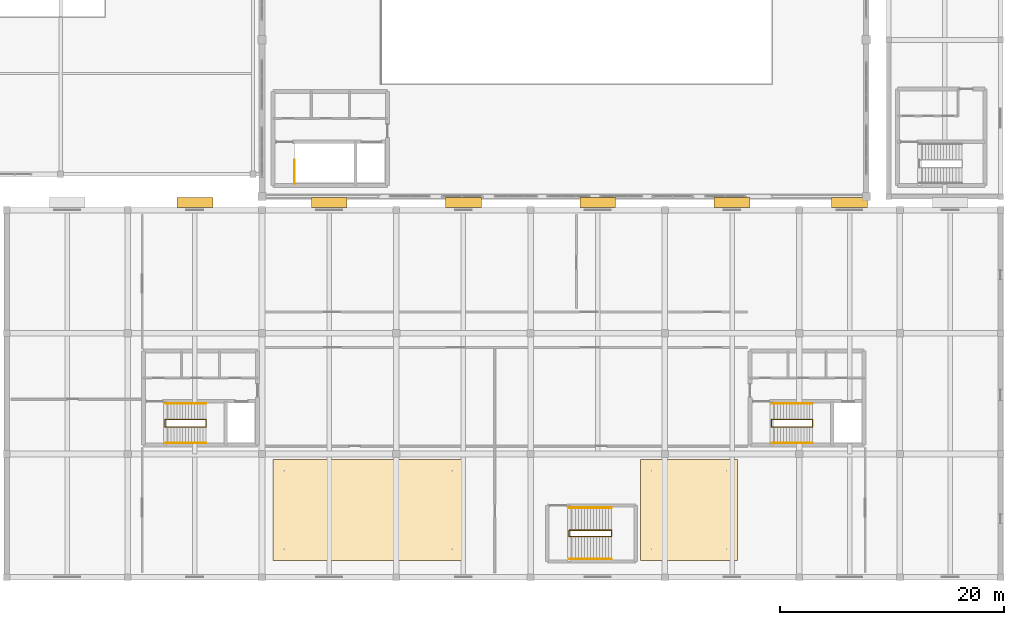
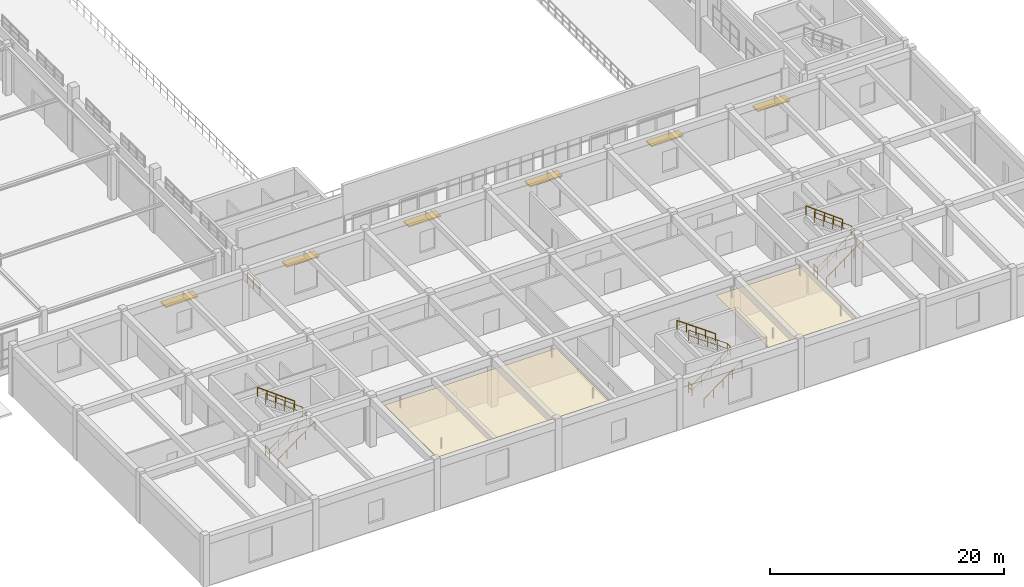
# One storey, part 194 of 197: 13 railings, 6 shading devices, 2 coverings.
"""IFC4 building model written with IfcOpenShell, lengths in metres."""

from ifc_helpers import new_model, si_unit, derived_unit, direction, frame, origin, origin_2d, place, context, subcontext, project, spatial, polyline, rectangle, circle, outline, extrude, material, layer, layer_set, type_object, element, save


model = new_model("IFC4")

# Units and contexts
model_context = context("Model", 3, precision=1e-05, world=origin(), true_north=direction((0.0, 1.0)))
body_context = subcontext(model_context, "Body", "Model", "MODEL_VIEW")
ifc_project = project(units=[si_unit("LENGTHUNIT", "METRE"), si_unit("AREAUNIT", "SQUARE_METRE"), si_unit("VOLUMEUNIT", "CUBIC_METRE"), si_unit("PLANEANGLEUNIT", "RADIAN"), si_unit("MASSUNIT", "GRAM", prefix="KILO"), derived_unit("THERMALTRANSMITTANCEUNIT", [(si_unit("POWERUNIT", "WATT"), 1), (si_unit("LENGTHUNIT", "METRE"), -2), (si_unit("THERMODYNAMICTEMPERATUREUNIT", "KELVIN"), -1)])], contexts=[model_context])

# Site, building, storey
site_placement = place(None, origin())
site = spatial("IfcSite", under=ifc_project, at=site_placement, CompositionType="ELEMENT")
building_placement = place(site_placement, origin())
building = spatial("IfcBuilding", under=site, at=building_placement, Name="Almenara Railside Exhibition Hall", CompositionType="ELEMENT")
storey_placement = place(building_placement, frame((0.0, 0.0, 5.39990234375)))
storey = spatial("IfcBuildingStorey", under=building, at=storey_placement, Name="L01", CompositionType="ELEMENT", Elevation=5.39990234375)

# Coverings
ifc_material_1 = material(Name="Perforated iroko acoustic timber ceiling", Category="wood")
ifc_layer = layer(ifc_material_1, 0.0400390625, Name="Perforated iroko acoustic timber ceiling")
ifc_layer_set = layer_set([ifc_layer], Name="Perforated iroko acoustic timber ceiling")
covering_type = type_object("IfcCoveringType", Name="Acoustic Slatted Timber Ceiling 40mm", PredefinedType="CEILING", material=ifc_layer_set)
covering_1_placement = place(storey_placement, frame((0.0, 0.0, 4.06005859375)))
element("IfcCovering", 1, at=covering_1_placement, inside=storey, type_object=covering_type, Name="Acoustic timber ceiling 004", PredefinedType="CEILING", context=body_context, shape_type="SweptSolid", body=[
    extrude(outline(polyline([(139.0, 1.5), (156.0, 1.5), (156.0, 10.5), (139.0, 10.5), (139.0, 1.5)])), origin(), (0.0, 0.0, 1.0), 0.0400390625),
])
covering_2_placement = place(storey_placement, frame((0.0, 0.0, 4.06005859375)))
element("IfcCovering", 2, at=covering_2_placement, inside=storey, type_object=covering_type, Name="Acoustic timber ceiling 005", PredefinedType="CEILING", context=body_context, shape_type="SweptSolid", body=[
    extrude(outline(polyline([(171.800048828125, 1.5), (180.5, 1.5), (180.5, 10.5), (171.800048828125, 10.5), (171.800048828125, 1.5)])), origin(), (0.0, 0.0, 1.0), 0.0400390625),
])

# Shading devices
ifc_material_2 = material(Name="Bronze-anodised aluminium solar brise-soleil", Category="aluminium")
shading_device_type = type_object("IfcShadingDeviceType", Name="North Solar Brise-Soleil Hood 900mm", PredefinedType="USERDEFINED", material=ifc_material_2)
for number, where, z_axis, x_axis, name in (
    (3, (132.0, 33.47509765625, 3.6103515625), (0.0, 0.0, 1.0), (-1.0, 0.0, 0.0), "Solar brise-soleil 0022"),
    (4, (144.0, 33.47509765625, 3.6103515625), (0.0, 0.0, 1.0), (-1.0, 0.0, 0.0), "Solar brise-soleil 0023"),
    (5, (156.0, 33.47509765625, 3.6103515625), (0.0, 0.0, 1.0), (-1.0, 0.0, 0.0), "Solar brise-soleil 0024"),
    (6, (168.0, 33.47509765625, 3.6103515625), (0.0, 0.0, 1.0), (-1.0, 0.0, 0.0), "Solar brise-soleil 0025"),
    (7, (180.0, 33.47509765625, 3.6103515625), (0.0, 0.0, 1.0), (-1.0, 0.0, 0.0), "Solar brise-soleil 0026"),
    (8, (190.5, 33.47509765625, 3.6103515625), (0.0, 0.0, 1.0), (-1.0, 0.0, 0.0), "Solar brise-soleil 0027"),
):
    element("IfcShadingDevice", number, at=place(storey_placement, frame(where, z_axis=z_axis, x_axis=x_axis)), inside=storey, type_object=shading_device_type, Name=name, ObjectType="BRISE_SOLEIL", PredefinedType="USERDEFINED", context=body_context, shape_type="SweptSolid", body=[
        extrude(rectangle(XDim=3.199951171875, YDim=0.89990234375, at=origin_2d()), origin(), (0.0, 0.0, 1.0), 0.139892578125),
    ])

# Railings
ifc_material_3 = material(Name="Bronze-finished tubular steel handrail", Category="steel")
railing_type_1 = type_object("IfcRailingType", Name="Stair Pitch Handrail 920mm", PredefinedType="HANDRAIL", material=ifc_material_3)
railing_1_placement = place(storey_placement, frame((129.35009765625, 12.0, 0.0)))
element("IfcRailing", 9, at=railing_1_placement, inside=storey, type_object=railing_type_1, Name="HR-L01-0037", PredefinedType="HANDRAIL", context=body_context, shape_type="SweptSolid", body=[
    extrude(circle(Radius=0.02392578125, at=origin_2d()), frame((0.0, 0.0, 0.89599609375), z_axis=(0.803900008104, 0.0, 0.594764471846), x_axis=(0.0, 1.0, 0.0)), (0.0, 0.0, 1.0), 4.5400390625),
    extrude(circle(Radius=0.02099609375, at=origin_2d()), origin(), (0.0, 0.0, 1.0), 0.871826171875),
    extrude(circle(Radius=0.02099609375, at=origin_2d()), frame((0.912353515625, 0.0, 0.675048828125)), (0.0, 0.0, 1.0), 0.871826171875),
    extrude(circle(Radius=0.02099609375, at=origin_2d()), frame((1.82470703125, 0.0, 1.35009765625)), (0.0, 0.0, 1.0), 0.871826171875),
    extrude(circle(Radius=0.02099609375, at=origin_2d()), frame((2.7373046875, 0.0, 2.025146484375)), (0.0, 0.0, 1.0), 0.871826171875),
    extrude(circle(Radius=0.02099609375, at=origin_2d()), frame((3.649658203125, 0.0, 2.7001953125)), (0.0, 0.0, 1.0), 0.871826171875),
])
railing_2_placement = place(storey_placement, frame((132.999755859375, 15.5, 2.7001953125)))
element("IfcRailing", 10, at=railing_2_placement, inside=storey, type_object=railing_type_1, Name="HR-L01-0038", PredefinedType="HANDRAIL", context=body_context, shape_type="SweptSolid", body=[
    extrude(circle(Radius=0.02392578125, at=origin_2d()), frame((0.0, 0.0, 0.89599609375), z_axis=(-0.803925720239, 0.0, 0.594729717046), x_axis=(0.0, -1.0, 0.0)), (0.0, 0.0, 1.0), 4.539794921875),
    extrude(circle(Radius=0.02099609375, at=origin_2d()), origin(), (0.0, 0.0, 1.0), 0.871826171875),
    extrude(circle(Radius=0.02099609375, at=origin_2d()), frame((-0.912353515625, 0.0, 0.675048828125)), (0.0, 0.0, 1.0), 0.871826171875),
    extrude(circle(Radius=0.02099609375, at=origin_2d()), frame((-1.82470703125, 0.0, 1.35009765625)), (0.0, 0.0, 1.0), 0.871826171875),
    extrude(circle(Radius=0.02099609375, at=origin_2d()), frame((-2.7373046875, 0.0, 2.02490234375)), (0.0, 0.0, 1.0), 0.871826171875),
    extrude(circle(Radius=0.02099609375, at=origin_2d()), frame((-3.649658203125, 0.0, 2.699951171875)), (0.0, 0.0, 1.0), 0.871826171875),
])
railing_3_placement = place(storey_placement, frame((183.550048828125, 12.0, 0.0)))
element("IfcRailing", 11, at=railing_3_placement, inside=storey, type_object=railing_type_1, Name="HR-L01-0053", PredefinedType="HANDRAIL", context=body_context, shape_type="SweptSolid", body=[
    extrude(circle(Radius=0.02392578125, at=origin_2d()), frame((0.0, 0.0, 0.89599609375), z_axis=(0.803900008104, 0.0, 0.594764471846), x_axis=(0.0, 1.0, 0.0)), (0.0, 0.0, 1.0), 4.5400390625),
    extrude(circle(Radius=0.02099609375, at=origin_2d()), origin(), (0.0, 0.0, 1.0), 0.871826171875),
    extrude(circle(Radius=0.02099609375, at=origin_2d()), frame((0.912353515625, 0.0, 0.675048828125)), (0.0, 0.0, 1.0), 0.871826171875),
    extrude(circle(Radius=0.02099609375, at=origin_2d()), frame((1.82470703125, 0.0, 1.35009765625)), (0.0, 0.0, 1.0), 0.871826171875),
    extrude(circle(Radius=0.02099609375, at=origin_2d()), frame((2.7373046875, 0.0, 2.025146484375)), (0.0, 0.0, 1.0), 0.871826171875),
    extrude(circle(Radius=0.02099609375, at=origin_2d()), frame((3.649658203125, 0.0, 2.7001953125)), (0.0, 0.0, 1.0), 0.871826171875),
])
railing_4_placement = place(storey_placement, frame((187.19970703125, 15.5, 2.7001953125)))
element("IfcRailing", 12, at=railing_4_placement, inside=storey, type_object=railing_type_1, Name="HR-L01-0054", PredefinedType="HANDRAIL", context=body_context, shape_type="SweptSolid", body=[
    extrude(circle(Radius=0.02392578125, at=origin_2d()), frame((0.0, 0.0, 0.89599609375), z_axis=(-0.803925720239, 0.0, 0.594729717046), x_axis=(0.0, -1.0, 0.0)), (0.0, 0.0, 1.0), 4.539794921875),
    extrude(circle(Radius=0.02099609375, at=origin_2d()), origin(), (0.0, 0.0, 1.0), 0.871826171875),
    extrude(circle(Radius=0.02099609375, at=origin_2d()), frame((-0.912353515625, 0.0, 0.675048828125)), (0.0, 0.0, 1.0), 0.871826171875),
    extrude(circle(Radius=0.02099609375, at=origin_2d()), frame((-1.82470703125, 0.0, 1.35009765625)), (0.0, 0.0, 1.0), 0.871826171875),
    extrude(circle(Radius=0.02099609375, at=origin_2d()), frame((-2.7373046875, 0.0, 2.02490234375)), (0.0, 0.0, 1.0), 0.871826171875),
    extrude(circle(Radius=0.02099609375, at=origin_2d()), frame((-3.649658203125, 0.0, 2.699951171875)), (0.0, 0.0, 1.0), 0.871826171875),
])
railing_5_placement = place(storey_placement, frame((165.449951171875, 1.60009765625, 0.0)))
element("IfcRailing", 13, at=railing_5_placement, inside=storey, type_object=railing_type_1, Name="HR-L01-0117", PredefinedType="HANDRAIL", context=body_context, shape_type="SweptSolid", body=[
    extrude(circle(Radius=0.02392578125, at=origin_2d()), frame((0.0, 0.0, 0.89599609375), z_axis=(0.813715715614, 0.0, 0.581263050746), x_axis=(0.0, 1.0, 0.0)), (0.0, 0.0, 1.0), 4.6455078125),
    extrude(circle(Radius=0.02099609375, at=origin_2d()), origin(), (0.0, 0.0, 1.0), 0.871826171875),
    extrude(circle(Radius=0.02099609375, at=origin_2d()), frame((0.945068359375, 0.0, 0.675048828125)), (0.0, 0.0, 1.0), 0.871826171875),
    extrude(circle(Radius=0.02099609375, at=origin_2d()), frame((1.89013671875, 0.0, 1.35009765625)), (0.0, 0.0, 1.0), 0.871826171875),
    extrude(circle(Radius=0.02099609375, at=origin_2d()), frame((2.8349609375, 0.0, 2.025146484375)), (0.0, 0.0, 1.0), 0.871826171875),
    extrude(circle(Radius=0.02099609375, at=origin_2d()), frame((3.780029296875, 0.0, 2.7001953125)), (0.0, 0.0, 1.0), 0.871826171875),
])
railing_6_placement = place(storey_placement, frame((169.22998046875, 6.199951171875, 2.7001953125)))
element("IfcRailing", 14, at=railing_6_placement, inside=storey, type_object=railing_type_1, Name="HR-L01-0118", PredefinedType="HANDRAIL", context=body_context, shape_type="SweptSolid", body=[
    extrude(circle(Radius=0.02392578125, at=origin_2d()), frame((0.0, 0.0, 0.89599609375), z_axis=(-0.813740573448, 0.0, 0.581228250453), x_axis=(0.0, -1.0, 0.0)), (0.0, 0.0, 1.0), 4.645263671875),
    extrude(circle(Radius=0.02099609375, at=origin_2d()), origin(), (0.0, 0.0, 1.0), 0.871826171875),
    extrude(circle(Radius=0.02099609375, at=origin_2d()), frame((-0.945068359375, 0.0, 0.675048828125)), (0.0, 0.0, 1.0), 0.871826171875),
    extrude(circle(Radius=0.02099609375, at=origin_2d()), frame((-1.89013671875, 0.0, 1.35009765625)), (0.0, 0.0, 1.0), 0.871826171875),
    extrude(circle(Radius=0.02099609375, at=origin_2d()), frame((-2.8349609375, 0.0, 2.02490234375)), (0.0, 0.0, 1.0), 0.871826171875),
    extrude(circle(Radius=0.02099609375, at=origin_2d()), frame((-3.780029296875, 0.0, 2.699951171875)), (0.0, 0.0, 1.0), 0.871826171875),
])
ifc_material_4 = material(Name="Dark wrought-iron stair balustrade")
railing_type_2 = type_object("IfcRailingType", Name="Stair Well Guard Rail 1120mm", PredefinedType="BALUSTRADE", material=ifc_material_4)
railing_7_placement = place(storey_placement, frame((140.919921875, 35.139892578125, 0.0)))
element("IfcRailing", 15, at=railing_7_placement, inside=storey, type_object=railing_type_2, Name="SG-L01-0020", PredefinedType="BALUSTRADE", context=body_context, shape_type="SweptSolid", body=[
    extrude(circle(Radius=0.02392578125, at=origin_2d()), frame((0.0, 0.0, 1.09619140625), z_axis=(0.0, 1.0, 0.0), x_axis=(-1.0, 0.0, 0.0)), (0.0, 0.0, 1.0), 2.130126953125),
    extrude(circle(Radius=0.01416015625, at=origin_2d()), frame((0.0, 0.0, 0.56005859375), z_axis=(0.0, 1.0, 0.0), x_axis=(-1.0, 0.0, 0.0)), (0.0, 0.0, 1.0), 2.130126953125),
    extrude(circle(Radius=0.02099609375, at=origin_2d()), origin(), (0.0, 0.0, 1.0), 1.072021484375),
    extrude(circle(Radius=0.02099609375, at=origin_2d()), frame((0.0, 1.06494140625, 0.0)), (0.0, 0.0, 1.0), 1.072021484375),
    extrude(circle(Radius=0.02099609375, at=origin_2d()), frame((0.0, 2.130126953125, 0.0)), (0.0, 0.0, 1.0), 1.072021484375),
])
railing_8_placement = place(storey_placement, frame((129.320068359375, 13.429931640625, 0.0)))
element("IfcRailing", 16, at=railing_8_placement, inside=storey, type_object=railing_type_2, Name="SG-L01-0036", PredefinedType="BALUSTRADE", context=body_context, shape_type="SweptSolid", body=[
    extrude(circle(Radius=0.02392578125, at=origin_2d()), frame((0.0, 0.0, 1.09619140625), z_axis=(0.0, 1.0, 0.0), x_axis=(-1.0, 0.0, 0.0)), (0.0, 0.0, 1.0), 0.64013671875),
    extrude(circle(Radius=0.01416015625, at=origin_2d()), frame((0.0, 0.0, 0.56005859375), z_axis=(0.0, 1.0, 0.0), x_axis=(-1.0, 0.0, 0.0)), (0.0, 0.0, 1.0), 0.64013671875),
    extrude(circle(Radius=0.02099609375, at=origin_2d()), origin(), (0.0, 0.0, 1.0), 1.072021484375),
    extrude(circle(Radius=0.02099609375, at=origin_2d()), frame((0.0, 0.64013671875, 0.0)), (0.0, 0.0, 1.0), 1.072021484375),
])
railing_9_placement = place(storey_placement, frame((129.35009765625, 13.429931640625, 0.0)))
element("IfcRailing", 17, at=railing_9_placement, inside=storey, type_object=railing_type_2, Name="SG-L01-0039", PredefinedType="BALUSTRADE", context=body_context, shape_type="SweptSolid", body=[
    extrude(circle(Radius=0.02392578125, at=origin_2d()), frame((0.0, 0.0, 1.09619140625), z_axis=(0.803900008104, 0.0, 0.594764471846), x_axis=(0.0, 1.0, 0.0)), (0.0, 0.0, 1.0), 4.5400390625),
    extrude(circle(Radius=0.01416015625, at=origin_2d()), frame((0.0, 0.0, 0.56005859375), z_axis=(0.803900008104, 0.0, 0.594764471846), x_axis=(0.0, 1.0, 0.0)), (0.0, 0.0, 1.0), 4.5400390625),
    extrude(circle(Radius=0.02392578125, at=origin_2d()), frame((3.649658203125, 0.0, 3.79638671875), z_axis=(0.0, 1.0, 0.0), x_axis=(-1.0, 0.0, 0.0)), (0.0, 0.0, 1.0), 0.64013671875),
    extrude(circle(Radius=0.01416015625, at=origin_2d()), frame((3.649658203125, 0.0, 3.26025390625), z_axis=(0.0, 1.0, 0.0), x_axis=(-1.0, 0.0, 0.0)), (0.0, 0.0, 1.0), 0.64013671875),
    extrude(circle(Radius=0.02392578125, at=origin_2d()), frame((3.649658203125, 0.64013671875, 3.79638671875), z_axis=(-0.803925720239, 0.0, 0.594729717046), x_axis=(0.0, -1.0, 0.0)), (0.0, 0.0, 1.0), 4.539794921875),
    extrude(circle(Radius=0.01416015625, at=origin_2d()), frame((3.649658203125, 0.64013671875, 3.26025390625), z_axis=(-0.803925720239, 0.0, 0.594729717046), x_axis=(0.0, -1.0, 0.0)), (0.0, 0.0, 1.0), 4.539794921875),
    extrude(circle(Radius=0.02099609375, at=origin_2d()), origin(), (0.0, 0.0, 1.0), 1.072021484375),
    extrude(circle(Radius=0.02099609375, at=origin_2d()), frame((0.912353515625, 0.0, 0.675048828125)), (0.0, 0.0, 1.0), 1.072021484375),
    extrude(circle(Radius=0.02099609375, at=origin_2d()), frame((1.82470703125, 0.0, 1.35009765625)), (0.0, 0.0, 1.0), 1.072021484375),
    extrude(circle(Radius=0.02099609375, at=origin_2d()), frame((2.7373046875, 0.0, 2.025146484375)), (0.0, 0.0, 1.0), 1.072021484375),
    extrude(circle(Radius=0.02099609375, at=origin_2d()), frame((3.649658203125, 0.0, 2.7001953125)), (0.0, 0.0, 1.0), 1.072021484375),
    extrude(circle(Radius=0.02099609375, at=origin_2d()), frame((3.649658203125, 0.64013671875, 2.7001953125)), (0.0, 0.0, 1.0), 1.072021484375),
    extrude(circle(Radius=0.02099609375, at=origin_2d()), frame((2.7373046875, 0.64013671875, 3.375244140625)), (0.0, 0.0, 1.0), 1.072021484375),
    extrude(circle(Radius=0.02099609375, at=origin_2d()), frame((1.82470703125, 0.64013671875, 4.05029296875)), (0.0, 0.0, 1.0), 1.072021484375),
    extrude(circle(Radius=0.02099609375, at=origin_2d()), frame((0.912353515625, 0.64013671875, 4.72509765625)), (0.0, 0.0, 1.0), 1.072021484375),
    extrude(circle(Radius=0.02099609375, at=origin_2d()), frame((0.0, 0.64013671875, 5.400146484375)), (0.0, 0.0, 1.0), 1.072021484375),
])
railing_10_placement = place(storey_placement, frame((183.52001953125, 13.429931640625, 0.0)))
element("IfcRailing", 18, at=railing_10_placement, inside=storey, type_object=railing_type_2, Name="SG-L01-0052", PredefinedType="BALUSTRADE", context=body_context, shape_type="SweptSolid", body=[
    extrude(circle(Radius=0.02392578125, at=origin_2d()), frame((0.0, 0.0, 1.09619140625), z_axis=(0.0, 1.0, 0.0), x_axis=(-1.0, 0.0, 0.0)), (0.0, 0.0, 1.0), 0.64013671875),
    extrude(circle(Radius=0.01416015625, at=origin_2d()), frame((0.0, 0.0, 0.56005859375), z_axis=(0.0, 1.0, 0.0), x_axis=(-1.0, 0.0, 0.0)), (0.0, 0.0, 1.0), 0.64013671875),
    extrude(circle(Radius=0.02099609375, at=origin_2d()), origin(), (0.0, 0.0, 1.0), 1.072021484375),
    extrude(circle(Radius=0.02099609375, at=origin_2d()), frame((0.0, 0.64013671875, 0.0)), (0.0, 0.0, 1.0), 1.072021484375),
])
railing_11_placement = place(storey_placement, frame((183.550048828125, 13.429931640625, 0.0)))
element("IfcRailing", 19, at=railing_11_placement, inside=storey, type_object=railing_type_2, Name="SG-L01-0055", PredefinedType="BALUSTRADE", context=body_context, shape_type="SweptSolid", body=[
    extrude(circle(Radius=0.02392578125, at=origin_2d()), frame((0.0, 0.0, 1.09619140625), z_axis=(0.803900008104, 0.0, 0.594764471846), x_axis=(0.0, 1.0, 0.0)), (0.0, 0.0, 1.0), 4.5400390625),
    extrude(circle(Radius=0.01416015625, at=origin_2d()), frame((0.0, 0.0, 0.56005859375), z_axis=(0.803900008104, 0.0, 0.594764471846), x_axis=(0.0, 1.0, 0.0)), (0.0, 0.0, 1.0), 4.5400390625),
    extrude(circle(Radius=0.02392578125, at=origin_2d()), frame((3.649658203125, 0.0, 3.79638671875), z_axis=(0.0, 1.0, 0.0), x_axis=(-1.0, 0.0, 0.0)), (0.0, 0.0, 1.0), 0.64013671875),
    extrude(circle(Radius=0.01416015625, at=origin_2d()), frame((3.649658203125, 0.0, 3.26025390625), z_axis=(0.0, 1.0, 0.0), x_axis=(-1.0, 0.0, 0.0)), (0.0, 0.0, 1.0), 0.64013671875),
    extrude(circle(Radius=0.02392578125, at=origin_2d()), frame((3.649658203125, 0.64013671875, 3.79638671875), z_axis=(-0.803925720239, 0.0, 0.594729717046), x_axis=(0.0, -1.0, 0.0)), (0.0, 0.0, 1.0), 4.539794921875),
    extrude(circle(Radius=0.01416015625, at=origin_2d()), frame((3.649658203125, 0.64013671875, 3.26025390625), z_axis=(-0.803925720239, 0.0, 0.594729717046), x_axis=(0.0, -1.0, 0.0)), (0.0, 0.0, 1.0), 4.539794921875),
    extrude(circle(Radius=0.02099609375, at=origin_2d()), origin(), (0.0, 0.0, 1.0), 1.072021484375),
    extrude(circle(Radius=0.02099609375, at=origin_2d()), frame((0.912353515625, 0.0, 0.675048828125)), (0.0, 0.0, 1.0), 1.072021484375),
    extrude(circle(Radius=0.02099609375, at=origin_2d()), frame((1.82470703125, 0.0, 1.35009765625)), (0.0, 0.0, 1.0), 1.072021484375),
    extrude(circle(Radius=0.02099609375, at=origin_2d()), frame((2.7373046875, 0.0, 2.025146484375)), (0.0, 0.0, 1.0), 1.072021484375),
    extrude(circle(Radius=0.02099609375, at=origin_2d()), frame((3.649658203125, 0.0, 2.7001953125)), (0.0, 0.0, 1.0), 1.072021484375),
    extrude(circle(Radius=0.02099609375, at=origin_2d()), frame((3.649658203125, 0.64013671875, 2.7001953125)), (0.0, 0.0, 1.0), 1.072021484375),
    extrude(circle(Radius=0.02099609375, at=origin_2d()), frame((2.7373046875, 0.64013671875, 3.375244140625)), (0.0, 0.0, 1.0), 1.072021484375),
    extrude(circle(Radius=0.02099609375, at=origin_2d()), frame((1.82470703125, 0.64013671875, 4.05029296875)), (0.0, 0.0, 1.0), 1.072021484375),
    extrude(circle(Radius=0.02099609375, at=origin_2d()), frame((0.912353515625, 0.64013671875, 4.72509765625)), (0.0, 0.0, 1.0), 1.072021484375),
    extrude(circle(Radius=0.02099609375, at=origin_2d()), frame((0.0, 0.64013671875, 5.400146484375)), (0.0, 0.0, 1.0), 1.072021484375),
])
railing_12_placement = place(storey_placement, frame((165.419921875, 3.610107421875, 0.0)))
element("IfcRailing", 20, at=railing_12_placement, inside=storey, type_object=railing_type_2, Name="SG-L01-0116", PredefinedType="BALUSTRADE", context=body_context, shape_type="SweptSolid", body=[
    extrude(circle(Radius=0.02392578125, at=origin_2d()), frame((0.0, 0.0, 1.09619140625), z_axis=(0.0, 1.0, 0.0), x_axis=(-1.0, 0.0, 0.0)), (0.0, 0.0, 1.0), 0.579833984375),
    extrude(circle(Radius=0.01416015625, at=origin_2d()), frame((0.0, 0.0, 0.56005859375), z_axis=(0.0, 1.0, 0.0), x_axis=(-1.0, 0.0, 0.0)), (0.0, 0.0, 1.0), 0.579833984375),
    extrude(circle(Radius=0.02099609375, at=origin_2d()), origin(), (0.0, 0.0, 1.0), 1.072021484375),
    extrude(circle(Radius=0.02099609375, at=origin_2d()), frame((0.0, 0.579833984375, 0.0)), (0.0, 0.0, 1.0), 1.072021484375),
])
railing_13_placement = place(storey_placement, frame((165.449951171875, 3.610107421875, 0.0)))
element("IfcRailing", 21, at=railing_13_placement, inside=storey, type_object=railing_type_2, Name="SG-L01-0119", PredefinedType="BALUSTRADE", context=body_context, shape_type="SweptSolid", body=[
    extrude(circle(Radius=0.02392578125, at=origin_2d()), frame((0.0, 0.0, 1.09619140625), z_axis=(0.813715715614, 0.0, 0.581263050746), x_axis=(0.0, 1.0, 0.0)), (0.0, 0.0, 1.0), 4.6455078125),
    extrude(circle(Radius=0.01416015625, at=origin_2d()), frame((0.0, 0.0, 0.56005859375), z_axis=(0.813715715614, 0.0, 0.581263050746), x_axis=(0.0, 1.0, 0.0)), (0.0, 0.0, 1.0), 4.6455078125),
    extrude(circle(Radius=0.02392578125, at=origin_2d()), frame((3.780029296875, 0.0, 3.79638671875), z_axis=(0.0, 1.0, 0.0), x_axis=(-1.0, 0.0, 0.0)), (0.0, 0.0, 1.0), 0.579833984375),
    extrude(circle(Radius=0.01416015625, at=origin_2d()), frame((3.780029296875, 0.0, 3.26025390625), z_axis=(0.0, 1.0, 0.0), x_axis=(-1.0, 0.0, 0.0)), (0.0, 0.0, 1.0), 0.579833984375),
    extrude(circle(Radius=0.02392578125, at=origin_2d()), frame((3.780029296875, 0.579833984375, 3.79638671875), z_axis=(-0.813740573448, 0.0, 0.581228250453), x_axis=(0.0, -1.0, 0.0)), (0.0, 0.0, 1.0), 4.645263671875),
    extrude(circle(Radius=0.01416015625, at=origin_2d()), frame((3.780029296875, 0.579833984375, 3.26025390625), z_axis=(-0.813740573448, 0.0, 0.581228250453), x_axis=(0.0, -1.0, 0.0)), (0.0, 0.0, 1.0), 4.645263671875),
    extrude(circle(Radius=0.02099609375, at=origin_2d()), origin(), (0.0, 0.0, 1.0), 1.072021484375),
    extrude(circle(Radius=0.02099609375, at=origin_2d()), frame((0.945068359375, 0.0, 0.675048828125)), (0.0, 0.0, 1.0), 1.072021484375),
    extrude(circle(Radius=0.02099609375, at=origin_2d()), frame((1.89013671875, 0.0, 1.35009765625)), (0.0, 0.0, 1.0), 1.072021484375),
    extrude(circle(Radius=0.02099609375, at=origin_2d()), frame((2.8349609375, 0.0, 2.025146484375)), (0.0, 0.0, 1.0), 1.072021484375),
    extrude(circle(Radius=0.02099609375, at=origin_2d()), frame((3.780029296875, 0.0, 2.7001953125)), (0.0, 0.0, 1.0), 1.072021484375),
    extrude(circle(Radius=0.02099609375, at=origin_2d()), frame((3.780029296875, 0.579833984375, 2.7001953125)), (0.0, 0.0, 1.0), 1.072021484375),
    extrude(circle(Radius=0.02099609375, at=origin_2d()), frame((2.8349609375, 0.579833984375, 3.375244140625)), (0.0, 0.0, 1.0), 1.072021484375),
    extrude(circle(Radius=0.02099609375, at=origin_2d()), frame((1.89013671875, 0.579833984375, 4.05029296875)), (0.0, 0.0, 1.0), 1.072021484375),
    extrude(circle(Radius=0.02099609375, at=origin_2d()), frame((0.945068359375, 0.579833984375, 4.72509765625)), (0.0, 0.0, 1.0), 1.072021484375),
    extrude(circle(Radius=0.02099609375, at=origin_2d()), frame((0.0, 0.579833984375, 5.400146484375)), (0.0, 0.0, 1.0), 1.072021484375),
])

save(model, "model.ifc")
